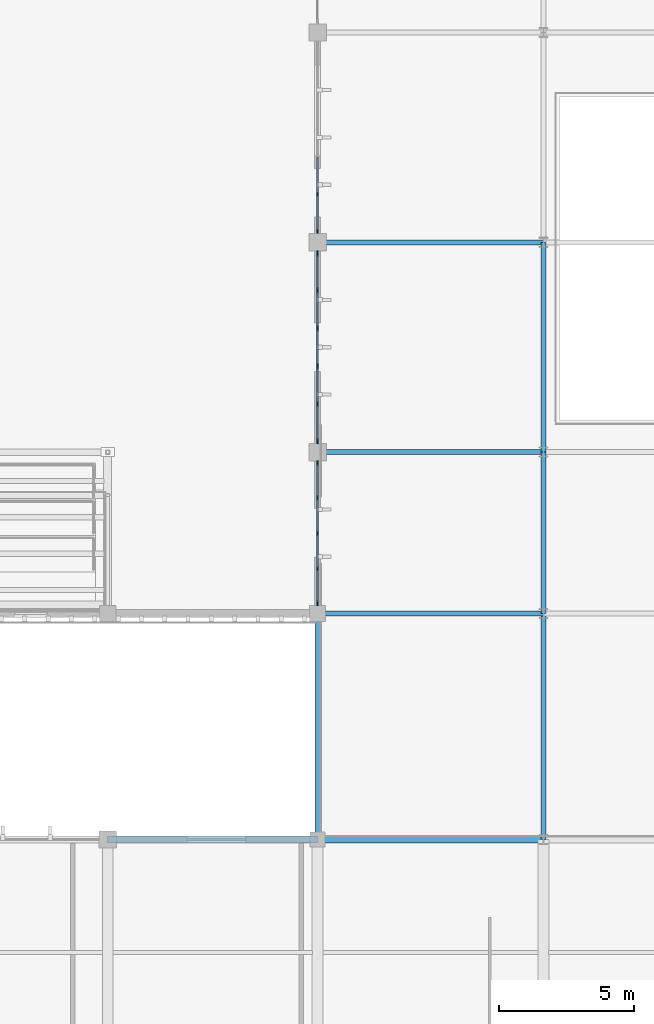
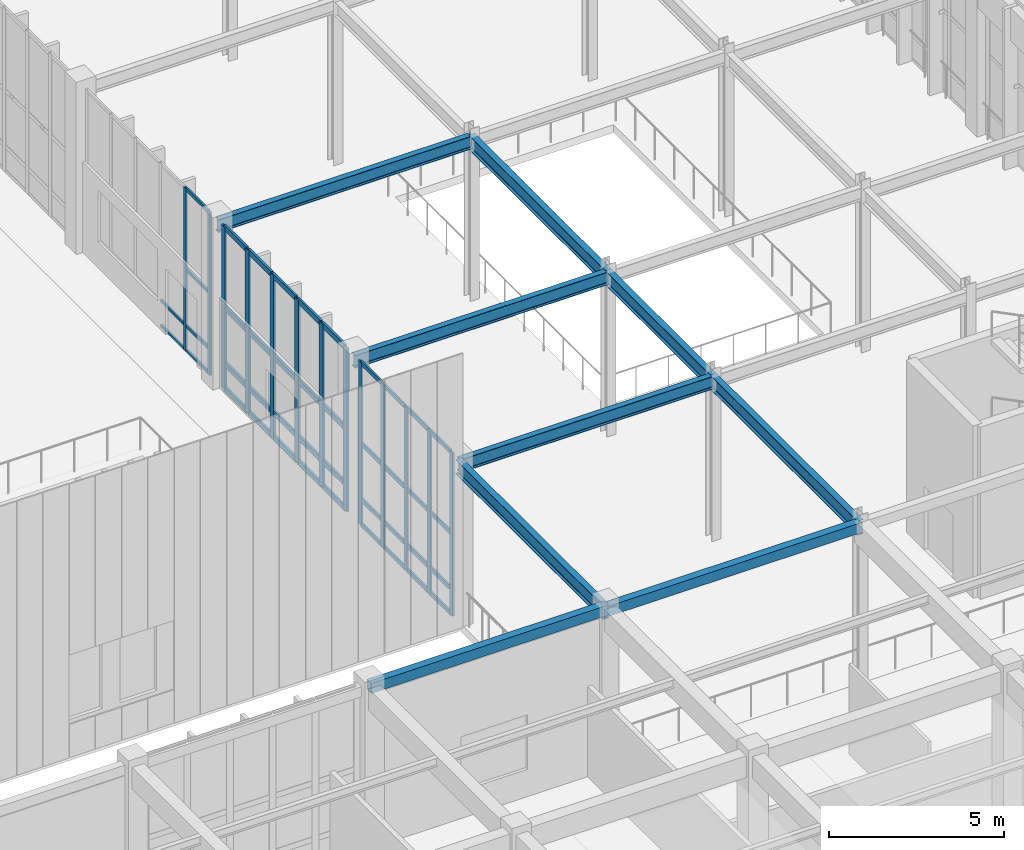
# One storey, part 17 of 105: 55 members, 9 beams, 3 elements without a shape of their own.
"""IFC4 building model written with IfcOpenShell, lengths in metres."""

from ifc_helpers import new_model, si_unit, direction, frame, origin, origin_2d, place, context, subcontext, project, spatial, rectangle, hollow_rectangle, i_section, extrude, material, material_profile, profile_set, type_object, element, aggregate, save


model = new_model("IFC4")

# Units and contexts
model_context = context("Model", 3, precision=1e-05, world=origin(), true_north=direction((0.0, 1.0)))
body_context = subcontext(model_context, "Body", "Model", "MODEL_VIEW")
ifc_project = project(units=[si_unit("LENGTHUNIT", "METRE"), si_unit("AREAUNIT", "SQUARE_METRE"), si_unit("VOLUMEUNIT", "CUBIC_METRE"), si_unit("PLANEANGLEUNIT", "RADIAN"), si_unit("MASSUNIT", "GRAM", prefix="KILO")], contexts=[model_context])

# Site, building, storey
site_placement = place(None, origin())
site = spatial("IfcSite", under=ifc_project, at=site_placement, CompositionType="ELEMENT")
building_placement = place(site_placement, origin())
building = spatial("IfcBuilding", under=site, at=building_placement, Name="Tizgana Railside Sports Hall", CompositionType="ELEMENT")
storey_placement = place(building_placement, frame((0.0, 0.0, 6.0)))
storey = spatial("IfcBuildingStorey", under=building, at=storey_placement, Name="L01", CompositionType="ELEMENT", Elevation=6.0)

# Curtain wall, members
ifc_material_1 = material(Name="Anodised aluminium and glass", Category="aluminium")
curtain_wall_type_1 = type_object("IfcCurtainWallType", Name="Unitised Curtain Wall Studio 1400", PredefinedType="NOTDEFINED", material=ifc_material_1)
curtain_wall_1_placement = place(storey_placement, origin())
curtain_wall_1 = element("IfcCurtainWall", 1, at=curtain_wall_1_placement, inside=storey, type_object=curtain_wall_type_1, Name="L01 Curtain Wall CW-0162", PredefinedType="NOTDEFINED")
ifc_material_2 = material(Name="Anodised aluminium", Category="aluminium")
ifc_material_profile_1 = material_profile(ifc_material_2, rectangle(XDim=0.06005859375, YDim=0.139892578125, at=origin_2d()), Name="Mullion 60x140")
ifc_profile_set_1 = profile_set([ifc_material_profile_1], Name="Anodised aluminium")
member_type_1 = type_object("IfcMemberType", Name="Mullion 60x140", PredefinedType="MULLION", material=ifc_profile_set_1)
member_1_placement = place(storey_placement, frame((54.60009765625, 56.387939453125, 0.0), z_axis=(0.0, 0.0, 1.0), x_axis=(1.0, 0.0, 0.0)))
member_1 = element("IfcMember", 2, at=member_1_placement, type_object=member_type_1, Name="CW-03 mullion 5", PredefinedType="MULLION", context=body_context, shape_type="SweptSolid", body=[
    extrude(rectangle(XDim=0.06005859375, YDim=0.139892578125, at=origin_2d()), origin(), (0.0, 0.0, 1.0), 5.68994140625),
])
member_2_placement = place(storey_placement, frame((54.60009765625, 55.010009765625, 0.0), z_axis=(0.0, 0.0, 1.0), x_axis=(1.0, 0.0, 0.0)))
member_2 = element("IfcMember", 3, at=member_2_placement, type_object=member_type_1, Name="CW-03 mullion 6", PredefinedType="MULLION", context=body_context, shape_type="SweptSolid", body=[
    extrude(rectangle(XDim=0.06005859375, YDim=0.139892578125, at=origin_2d()), origin(), (0.0, 0.0, 1.0), 5.68994140625),
])

curtain_wall_type_2 = type_object("IfcCurtainWallType", Name="Unitised Curtain Wall WestHall 1560", PredefinedType="NOTDEFINED", material=ifc_material_1)
curtain_wall_2_placement = place(storey_placement, origin())
curtain_wall_2 = element("IfcCurtainWall", 4, at=curtain_wall_2_placement, inside=storey, type_object=curtain_wall_type_2, Name="L01 Curtain Wall CW-0158", PredefinedType="NOTDEFINED")
ifc_material_profile_2 = material_profile(ifc_material_2, rectangle(XDim=0.06005859375, YDim=0.179931640625, at=origin_2d()), Name="Mullion 60x180")
ifc_profile_set_2 = profile_set([ifc_material_profile_2], Name="Anodised aluminium")
member_type_2 = type_object("IfcMemberType", Name="Mullion 60x180", PredefinedType="MULLION", material=ifc_profile_set_2)
member_3_placement = place(storey_placement, frame((54.60009765625, 46.389892578125, 0.0), z_axis=(0.0, 0.0, 1.0), x_axis=(1.0, 0.0, 0.0)))
member_3 = element("IfcMember", 5, at=member_3_placement, type_object=member_type_2, Name="CW-07 mullion 1", PredefinedType="MULLION", context=body_context, shape_type="SweptSolid", body=[
    extrude(rectangle(XDim=0.06005859375, YDim=0.179931640625, at=origin_2d()), origin(), (0.0, 0.0, 1.0), 5.68994140625),
])
member_4_placement = place(storey_placement, frame((54.60009765625, 45.103759765625, 0.0), z_axis=(0.0, 0.0, 1.0), x_axis=(1.0, 0.0, 0.0)))
member_4 = element("IfcMember", 6, at=member_4_placement, type_object=member_type_2, Name="CW-07 mullion 2", PredefinedType="MULLION", context=body_context, shape_type="SweptSolid", body=[
    extrude(rectangle(XDim=0.06005859375, YDim=0.179931640625, at=origin_2d()), origin(), (0.0, 0.0, 1.0), 5.68994140625),
])
member_5_placement = place(storey_placement, frame((54.60009765625, 43.78759765625, 0.0), z_axis=(0.0, 0.0, 1.0), x_axis=(1.0, 0.0, 0.0)))
member_5 = element("IfcMember", 7, at=member_5_placement, type_object=member_type_2, Name="CW-07 mullion 3", PredefinedType="MULLION", context=body_context, shape_type="SweptSolid", body=[
    extrude(rectangle(XDim=0.06005859375, YDim=0.179931640625, at=origin_2d()), origin(), (0.0, 0.0, 1.0), 5.68994140625),
])
member_6_placement = place(storey_placement, frame((54.60009765625, 42.47119140625, 0.0), z_axis=(0.0, 0.0, 1.0), x_axis=(1.0, 0.0, 0.0)))
member_6 = element("IfcMember", 8, at=member_6_placement, type_object=member_type_2, Name="CW-07 mullion 4", PredefinedType="MULLION", context=body_context, shape_type="SweptSolid", body=[
    extrude(rectangle(XDim=0.06005859375, YDim=0.179931640625, at=origin_2d()), origin(), (0.0, 0.0, 1.0), 5.68994140625),
])
member_7_placement = place(storey_placement, frame((54.60009765625, 41.18505859375, 0.0), z_axis=(0.0, 0.0, 1.0), x_axis=(1.0, 0.0, 0.0)))
member_7 = element("IfcMember", 9, at=member_7_placement, type_object=member_type_2, Name="CW-07 mullion 5", PredefinedType="MULLION", context=body_context, shape_type="SweptSolid", body=[
    extrude(rectangle(XDim=0.06005859375, YDim=0.179931640625, at=origin_2d()), origin(), (0.0, 0.0, 1.0), 5.68994140625),
])

curtain_wall_type_3 = type_object("IfcCurtainWallType", Name="Unitised Curtain Wall Concourse 1500", PredefinedType="NOTDEFINED", material=ifc_material_1)
curtain_wall_3_placement = place(storey_placement, origin())
curtain_wall_3 = element("IfcCurtainWall", 10, at=curtain_wall_3_placement, inside=storey, type_object=curtain_wall_type_3, Name="L01 Curtain Wall CW-0160", PredefinedType="NOTDEFINED")
ifc_material_profile_3 = material_profile(ifc_material_2, rectangle(XDim=0.070068359375, YDim=0.219970703125, at=origin_2d()), Name="Mullion 70x220")
ifc_profile_set_3 = profile_set([ifc_material_profile_3], Name="Anodised aluminium")
member_type_3 = type_object("IfcMemberType", Name="Mullion 70x220", PredefinedType="MULLION", material=ifc_profile_set_3)
member_8_placement = place(storey_placement, frame((54.60009765625, 54.18505859375, 0.0), z_axis=(0.0, 0.0, 1.0), x_axis=(1.0, 0.0, 0.0)))
member_8 = element("IfcMember", 11, at=member_8_placement, type_object=member_type_3, Name="CW-01 mullion 1", PredefinedType="MULLION", context=body_context, shape_type="SweptSolid", body=[
    extrude(rectangle(XDim=0.070068359375, YDim=0.219970703125, at=origin_2d()), origin(), (0.0, 0.0, 1.0), 5.68994140625),
])
member_9_placement = place(storey_placement, frame((54.60009765625, 52.81201171875, 0.0), z_axis=(0.0, 0.0, 1.0), x_axis=(1.0, 0.0, 0.0)))
member_9 = element("IfcMember", 12, at=member_9_placement, type_object=member_type_3, Name="CW-01 mullion 2", PredefinedType="MULLION", context=body_context, shape_type="SweptSolid", body=[
    extrude(rectangle(XDim=0.070068359375, YDim=0.219970703125, at=origin_2d()), origin(), (0.0, 0.0, 1.0), 5.68994140625),
])
member_10_placement = place(storey_placement, frame((54.60009765625, 51.404052734375, 0.0), z_axis=(0.0, 0.0, 1.0), x_axis=(1.0, 0.0, 0.0)))
member_10 = element("IfcMember", 13, at=member_10_placement, type_object=member_type_3, Name="CW-01 mullion 3", PredefinedType="MULLION", context=body_context, shape_type="SweptSolid", body=[
    extrude(rectangle(XDim=0.070068359375, YDim=0.219970703125, at=origin_2d()), origin(), (0.0, 0.0, 1.0), 5.68994140625),
])
member_11_placement = place(storey_placement, frame((54.60009765625, 49.99609375, 0.0), z_axis=(0.0, 0.0, 1.0), x_axis=(1.0, 0.0, 0.0)))
member_11 = element("IfcMember", 14, at=member_11_placement, type_object=member_type_3, Name="CW-01 mullion 4", PredefinedType="MULLION", context=body_context, shape_type="SweptSolid", body=[
    extrude(rectangle(XDim=0.070068359375, YDim=0.219970703125, at=origin_2d()), origin(), (0.0, 0.0, 1.0), 5.68994140625),
])
member_12_placement = place(storey_placement, frame((54.60009765625, 48.587890625, 0.0), z_axis=(0.0, 0.0, 1.0), x_axis=(1.0, 0.0, 0.0)))
member_12 = element("IfcMember", 15, at=member_12_placement, type_object=member_type_3, Name="CW-01 mullion 5", PredefinedType="MULLION", context=body_context, shape_type="SweptSolid", body=[
    extrude(rectangle(XDim=0.070068359375, YDim=0.219970703125, at=origin_2d()), origin(), (0.0, 0.0, 1.0), 5.68994140625),
])
member_13_placement = place(storey_placement, frame((54.60009765625, 47.215087890625, 0.0), z_axis=(0.0, 0.0, 1.0), x_axis=(1.0, 0.0, 0.0)))
member_13 = element("IfcMember", 16, at=member_13_placement, type_object=member_type_3, Name="CW-01 mullion 6", PredefinedType="MULLION", context=body_context, shape_type="SweptSolid", body=[
    extrude(rectangle(XDim=0.070068359375, YDim=0.219970703125, at=origin_2d()), origin(), (0.0, 0.0, 1.0), 5.68994140625),
])

# Beams
ifc_material_3 = material(Name="Steel S355J2", Category="steel")
ifc_material_profile_4 = material_profile(ifc_material_3, i_section(OverallWidth=0.18994140625, OverallDepth=0.449951171875, WebThickness=0.009521484375, FlangeThickness=0.0146484375, FilletRadius=0.02099609375, at=origin_2d()), Name="IPE 450")
ifc_profile_set_4 = profile_set([ifc_material_profile_4], Name="Steel S355J2")
beam_type_1 = type_object("IfcBeamType", Name="Steel Beam IPE 450", PredefinedType="BEAM", material=ifc_profile_set_4)
for number, where, z_axis, x_axis, name in (
    (17, (54.60009765625, 40.800048828125, 5.4609375), (1.0, 0.0, 0.0), (0.0, 1.0, 0.0), "L01 BEM-0967"),
    (18, (54.60009765625, 46.800048828125, 5.4609375), (1.0, 0.0, 0.0), (0.0, 1.0, 0.0), "L01 BEM-0968"),
    (19, (54.60009765625, 54.60009765625, 5.4609375), (1.0, 0.0, 0.0), (0.0, 1.0, 0.0), "L01 BEM-0969"),
):
    element("IfcBeam", number, at=place(storey_placement, frame(where, z_axis=z_axis, x_axis=x_axis)), inside=storey, type_object=beam_type_1, Name=name, PredefinedType="BEAM", context=body_context, shape_type="SweptSolid", body=[
        extrude(i_section(OverallWidth=0.18994140625, OverallDepth=0.449951171875, WebThickness=0.009521484375, FlangeThickness=0.0146484375, FilletRadius=0.02099609375, at=origin_2d()), origin(), (0.0, 0.0, 1.0), 8.39990234375),
    ])
ifc_material_profile_5 = material_profile(ifc_material_3, i_section(OverallWidth=0.199951171875, OverallDepth=0.5, WebThickness=0.01025390625, FlangeThickness=0.01611328125, FilletRadius=0.02099609375, at=origin_2d()), Name="IPE 500")
ifc_profile_set_5 = profile_set([ifc_material_profile_5], Name="Steel S355J2")
beam_type_2 = type_object("IfcBeamType", Name="Steel Beam IPE 500", PredefinedType="BEAM", material=ifc_profile_set_5)
for number, where, z_axis, x_axis, name in (
    (20, (54.60009765625, 32.39990234375, 5.43603515625), (0.0, 1.0, 0.0), (-1.0, 0.0, 0.0), "L01 BEM-0952"),
    (21, (63.0, 32.39990234375, 5.43603515625), (0.0, 1.0, 0.0), (-1.0, 0.0, 0.0), "L01 BEM-0953"),
):
    element("IfcBeam", number, at=place(storey_placement, frame(where, z_axis=z_axis, x_axis=x_axis)), inside=storey, type_object=beam_type_2, Name=name, PredefinedType="BEAM", context=body_context, shape_type="SweptSolid", body=[
        extrude(i_section(OverallWidth=0.199951171875, OverallDepth=0.5, WebThickness=0.01025390625, FlangeThickness=0.01611328125, FilletRadius=0.02099609375, at=origin_2d()), origin(), (0.0, 0.0, 1.0), 8.400146484375),
    ])
beam_1_placement = place(storey_placement, frame((63.0, 40.800048828125, 5.43603515625), z_axis=(0.0, 1.0, 0.0), x_axis=(-1.0, 0.0, 0.0)))
element("IfcBeam", 22, at=beam_1_placement, inside=storey, type_object=beam_type_2, Name="L01 BEM-0954", PredefinedType="BEAM", context=body_context, shape_type="SweptSolid", body=[
    extrude(i_section(OverallWidth=0.199951171875, OverallDepth=0.5, WebThickness=0.01025390625, FlangeThickness=0.01611328125, FilletRadius=0.02099609375, at=origin_2d()), origin(), (0.0, 0.0, 1.0), 6.0),
])
beam_2_placement = place(storey_placement, frame((63.0, 46.800048828125, 5.43603515625), z_axis=(0.0, 1.0, 0.0), x_axis=(-1.0, 0.0, 0.0)))
element("IfcBeam", 23, at=beam_2_placement, inside=storey, type_object=beam_type_2, Name="L01 BEM-0955", PredefinedType="BEAM", context=body_context, shape_type="SweptSolid", body=[
    extrude(i_section(OverallWidth=0.199951171875, OverallDepth=0.5, WebThickness=0.01025390625, FlangeThickness=0.01611328125, FilletRadius=0.02099609375, at=origin_2d()), origin(), (0.0, 0.0, 1.0), 7.800048828125),
])
ifc_material_profile_6 = material_profile(ifc_material_3, hollow_rectangle(XDim=0.25, YDim=0.35009765625, WallThickness=0.011962890625, at=origin_2d()), Name="RHS 350x250x12")
ifc_profile_set_6 = profile_set([ifc_material_profile_6], Name="Steel S355J2")
beam_type_3 = type_object("IfcBeamType", Name="Steel Spandrel RHS 350x250x12", PredefinedType="SPANDREL", material=ifc_profile_set_6)
beam_3_placement = place(storey_placement, frame((46.800048828125, 32.39990234375, 5.56103515625), z_axis=(1.0, 0.0, 0.0), x_axis=(0.0, 1.0, 0.0)))
element("IfcBeam", 24, at=beam_3_placement, inside=storey, type_object=beam_type_3, Name="L01 BEM-0552", PredefinedType="SPANDREL", context=body_context, shape_type="SweptSolid", body=[
    extrude(hollow_rectangle(XDim=0.25, YDim=0.35009765625, WallThickness=0.011962890625, at=origin_2d()), origin(), (0.0, 0.0, 1.0), 7.800048828125),
])
beam_4_placement = place(storey_placement, frame((54.60009765625, 32.39990234375, 5.510986328125), z_axis=(1.0, 0.0, 0.0), x_axis=(0.0, 1.0, 0.0)))
element("IfcBeam", 25, at=beam_4_placement, inside=storey, type_object=beam_type_3, Name="L01 BEM-0559", PredefinedType="SPANDREL", context=body_context, shape_type="SweptSolid", body=[
    extrude(hollow_rectangle(XDim=0.25, YDim=0.35009765625, WallThickness=0.011962890625, at=origin_2d()), origin(), (0.0, 0.0, 1.0), 8.39990234375),
])

# Member
ifc_material_profile_7 = material_profile(ifc_material_2, rectangle(XDim=0.06005859375, YDim=0.110107421875, at=origin_2d()), Name="Transom 60x110")
ifc_profile_set_7 = profile_set([ifc_material_profile_7], Name="Anodised aluminium")
member_type_4 = type_object("IfcMemberType", Name="Transom 60x110", PredefinedType="USERDEFINED", material=ifc_profile_set_7)
member_14_placement = place(storey_placement, frame((54.60009765625, 57.76611328125, 0.030029296875), z_axis=(0.0, -1.0, 0.0), x_axis=(1.0, 0.0, 0.0)))
member_14 = element("IfcMember", 26, at=member_14_placement, type_object=member_type_4, Name="CW-03 transom 4.1", ObjectType="TRANSOM", PredefinedType="USERDEFINED", context=body_context, shape_type="SweptSolid", body=[
    extrude(rectangle(XDim=0.06005859375, YDim=0.110107421875, at=origin_2d()), origin(), (0.0, 0.0, 1.0), 1.34814453125),
])

member_15_placement = place(storey_placement, frame((54.60009765625, 57.76611328125, 0.89990234375), z_axis=(0.0, -1.0, 0.0), x_axis=(1.0, 0.0, 0.0)))
member_15 = element("IfcMember", 27, at=member_15_placement, type_object=member_type_4, Name="CW-03 transom 4.2", ObjectType="TRANSOM", PredefinedType="USERDEFINED", context=body_context, shape_type="SweptSolid", body=[
    extrude(rectangle(XDim=0.06005859375, YDim=0.110107421875, at=origin_2d()), origin(), (0.0, 0.0, 1.0), 1.34814453125),
])

member_16_placement = place(storey_placement, frame((54.60009765625, 56.35791015625, 0.030029296875), z_axis=(0.0, -1.0, 0.0), x_axis=(1.0, 0.0, 0.0)))
member_16 = element("IfcMember", 28, at=member_16_placement, type_object=member_type_4, Name="CW-03 transom 5.1", ObjectType="TRANSOM", PredefinedType="USERDEFINED", context=body_context, shape_type="SweptSolid", body=[
    extrude(rectangle(XDim=0.06005859375, YDim=0.110107421875, at=origin_2d()), origin(), (0.0, 0.0, 1.0), 1.31787109375),
])

member_17_placement = place(storey_placement, frame((54.60009765625, 56.35791015625, 0.89990234375), z_axis=(0.0, -1.0, 0.0), x_axis=(1.0, 0.0, 0.0)))
member_17 = element("IfcMember", 29, at=member_17_placement, type_object=member_type_4, Name="CW-03 transom 5.2", ObjectType="TRANSOM", PredefinedType="USERDEFINED", context=body_context, shape_type="SweptSolid", body=[
    extrude(rectangle(XDim=0.06005859375, YDim=0.110107421875, at=origin_2d()), origin(), (0.0, 0.0, 1.0), 1.31787109375),
])

member_18_placement = place(storey_placement, frame((54.60009765625, 56.35791015625, 2.844970703125), z_axis=(0.0, -1.0, 0.0), x_axis=(1.0, 0.0, 0.0)))
member_18 = element("IfcMember", 30, at=member_18_placement, type_object=member_type_4, Name="CW-03 transom 5.3", ObjectType="TRANSOM", PredefinedType="USERDEFINED", context=body_context, shape_type="SweptSolid", body=[
    extrude(rectangle(XDim=0.06005859375, YDim=0.110107421875, at=origin_2d()), origin(), (0.0, 0.0, 1.0), 1.31787109375),
])

member_19_placement = place(storey_placement, frame((54.60009765625, 56.35791015625, 5.659912109375), z_axis=(0.0, -1.0, 0.0), x_axis=(1.0, 0.0, 0.0)))
member_19 = element("IfcMember", 31, at=member_19_placement, type_object=member_type_4, Name="CW-03 transom 5.4", ObjectType="TRANSOM", PredefinedType="USERDEFINED", context=body_context, shape_type="SweptSolid", body=[
    extrude(rectangle(XDim=0.06005859375, YDim=0.110107421875, at=origin_2d()), origin(), (0.0, 0.0, 1.0), 1.31787109375),
])

aggregate(curtain_wall_1, [member_1, member_2, member_14, member_15, member_16, member_17, member_18, member_19])

ifc_material_profile_8 = material_profile(ifc_material_2, rectangle(XDim=0.06005859375, YDim=0.14990234375, at=origin_2d()), Name="Transom 60x150")
ifc_profile_set_8 = profile_set([ifc_material_profile_8], Name="Anodised aluminium")
member_type_5 = type_object("IfcMemberType", Name="Transom 60x150", PredefinedType="USERDEFINED", material=ifc_profile_set_8)
member_20_placement = place(storey_placement, frame((54.60009765625, 46.360107421875, 0.030029296875), z_axis=(0.0, -1.0, 0.0), x_axis=(1.0, 0.0, 0.0)))
member_20 = element("IfcMember", 32, at=member_20_placement, type_object=member_type_5, Name="CW-07 transom 1.1", ObjectType="TRANSOM", PredefinedType="USERDEFINED", context=body_context, shape_type="SweptSolid", body=[
    extrude(rectangle(XDim=0.06005859375, YDim=0.14990234375, at=origin_2d()), origin(), (0.0, 0.0, 1.0), 1.226318359375),
])

member_21_placement = place(storey_placement, frame((54.60009765625, 46.360107421875, 0.89990234375), z_axis=(0.0, -1.0, 0.0), x_axis=(1.0, 0.0, 0.0)))
member_21 = element("IfcMember", 33, at=member_21_placement, type_object=member_type_5, Name="CW-07 transom 1.2", ObjectType="TRANSOM", PredefinedType="USERDEFINED", context=body_context, shape_type="SweptSolid", body=[
    extrude(rectangle(XDim=0.06005859375, YDim=0.14990234375, at=origin_2d()), origin(), (0.0, 0.0, 1.0), 1.226318359375),
])

member_22_placement = place(storey_placement, frame((54.60009765625, 46.360107421875, 2.844970703125), z_axis=(0.0, -1.0, 0.0), x_axis=(1.0, 0.0, 0.0)))
member_22 = element("IfcMember", 34, at=member_22_placement, type_object=member_type_5, Name="CW-07 transom 1.3", ObjectType="TRANSOM", PredefinedType="USERDEFINED", context=body_context, shape_type="SweptSolid", body=[
    extrude(rectangle(XDim=0.06005859375, YDim=0.14990234375, at=origin_2d()), origin(), (0.0, 0.0, 1.0), 1.226318359375),
])

member_23_placement = place(storey_placement, frame((54.60009765625, 46.360107421875, 5.659912109375), z_axis=(0.0, -1.0, 0.0), x_axis=(1.0, 0.0, 0.0)))
member_23 = element("IfcMember", 35, at=member_23_placement, type_object=member_type_5, Name="CW-07 transom 1.4", ObjectType="TRANSOM", PredefinedType="USERDEFINED", context=body_context, shape_type="SweptSolid", body=[
    extrude(rectangle(XDim=0.06005859375, YDim=0.14990234375, at=origin_2d()), origin(), (0.0, 0.0, 1.0), 1.226318359375),
])

member_24_placement = place(storey_placement, frame((54.60009765625, 45.07373046875, 0.030029296875), z_axis=(0.0, -1.0, 0.0), x_axis=(1.0, 0.0, 0.0)))
member_24 = element("IfcMember", 36, at=member_24_placement, type_object=member_type_5, Name="CW-07 transom 2.1", ObjectType="TRANSOM", PredefinedType="USERDEFINED", context=body_context, shape_type="SweptSolid", body=[
    extrude(rectangle(XDim=0.06005859375, YDim=0.14990234375, at=origin_2d()), origin(), (0.0, 0.0, 1.0), 1.25634765625),
])

member_25_placement = place(storey_placement, frame((54.60009765625, 45.07373046875, 0.89990234375), z_axis=(0.0, -1.0, 0.0), x_axis=(1.0, 0.0, 0.0)))
member_25 = element("IfcMember", 37, at=member_25_placement, type_object=member_type_5, Name="CW-07 transom 2.2", ObjectType="TRANSOM", PredefinedType="USERDEFINED", context=body_context, shape_type="SweptSolid", body=[
    extrude(rectangle(XDim=0.06005859375, YDim=0.14990234375, at=origin_2d()), origin(), (0.0, 0.0, 1.0), 1.25634765625),
])

member_26_placement = place(storey_placement, frame((54.60009765625, 45.07373046875, 2.844970703125), z_axis=(0.0, -1.0, 0.0), x_axis=(1.0, 0.0, 0.0)))
member_26 = element("IfcMember", 38, at=member_26_placement, type_object=member_type_5, Name="CW-07 transom 2.3", ObjectType="TRANSOM", PredefinedType="USERDEFINED", context=body_context, shape_type="SweptSolid", body=[
    extrude(rectangle(XDim=0.06005859375, YDim=0.14990234375, at=origin_2d()), origin(), (0.0, 0.0, 1.0), 1.25634765625),
])

member_27_placement = place(storey_placement, frame((54.60009765625, 45.07373046875, 5.659912109375), z_axis=(0.0, -1.0, 0.0), x_axis=(1.0, 0.0, 0.0)))
member_27 = element("IfcMember", 39, at=member_27_placement, type_object=member_type_5, Name="CW-07 transom 2.4", ObjectType="TRANSOM", PredefinedType="USERDEFINED", context=body_context, shape_type="SweptSolid", body=[
    extrude(rectangle(XDim=0.06005859375, YDim=0.14990234375, at=origin_2d()), origin(), (0.0, 0.0, 1.0), 1.25634765625),
])

member_28_placement = place(storey_placement, frame((54.60009765625, 43.757568359375, 0.030029296875), z_axis=(0.0, -1.0, 0.0), x_axis=(1.0, 0.0, 0.0)))
member_28 = element("IfcMember", 40, at=member_28_placement, type_object=member_type_5, Name="CW-07 transom 3.1", ObjectType="TRANSOM", PredefinedType="USERDEFINED", context=body_context, shape_type="SweptSolid", body=[
    extrude(rectangle(XDim=0.06005859375, YDim=0.14990234375, at=origin_2d()), origin(), (0.0, 0.0, 1.0), 1.25634765625),
])

member_29_placement = place(storey_placement, frame((54.60009765625, 43.757568359375, 0.89990234375), z_axis=(0.0, -1.0, 0.0), x_axis=(1.0, 0.0, 0.0)))
member_29 = element("IfcMember", 41, at=member_29_placement, type_object=member_type_5, Name="CW-07 transom 3.2", ObjectType="TRANSOM", PredefinedType="USERDEFINED", context=body_context, shape_type="SweptSolid", body=[
    extrude(rectangle(XDim=0.06005859375, YDim=0.14990234375, at=origin_2d()), origin(), (0.0, 0.0, 1.0), 1.25634765625),
])

member_30_placement = place(storey_placement, frame((54.60009765625, 43.757568359375, 2.844970703125), z_axis=(0.0, -1.0, 0.0), x_axis=(1.0, 0.0, 0.0)))
member_30 = element("IfcMember", 42, at=member_30_placement, type_object=member_type_5, Name="CW-07 transom 3.3", ObjectType="TRANSOM", PredefinedType="USERDEFINED", context=body_context, shape_type="SweptSolid", body=[
    extrude(rectangle(XDim=0.06005859375, YDim=0.14990234375, at=origin_2d()), origin(), (0.0, 0.0, 1.0), 1.25634765625),
])

member_31_placement = place(storey_placement, frame((54.60009765625, 43.757568359375, 5.659912109375), z_axis=(0.0, -1.0, 0.0), x_axis=(1.0, 0.0, 0.0)))
member_31 = element("IfcMember", 43, at=member_31_placement, type_object=member_type_5, Name="CW-07 transom 3.4", ObjectType="TRANSOM", PredefinedType="USERDEFINED", context=body_context, shape_type="SweptSolid", body=[
    extrude(rectangle(XDim=0.06005859375, YDim=0.14990234375, at=origin_2d()), origin(), (0.0, 0.0, 1.0), 1.25634765625),
])

member_32_placement = place(storey_placement, frame((54.60009765625, 42.441162109375, 0.030029296875), z_axis=(0.0, -1.0, 0.0), x_axis=(1.0, 0.0, 0.0)))
member_32 = element("IfcMember", 44, at=member_32_placement, type_object=member_type_5, Name="CW-07 transom 4.1", ObjectType="TRANSOM", PredefinedType="USERDEFINED", context=body_context, shape_type="SweptSolid", body=[
    extrude(rectangle(XDim=0.06005859375, YDim=0.14990234375, at=origin_2d()), origin(), (0.0, 0.0, 1.0), 1.22607421875),
])

member_33_placement = place(storey_placement, frame((54.60009765625, 42.441162109375, 0.89990234375), z_axis=(0.0, -1.0, 0.0), x_axis=(1.0, 0.0, 0.0)))
member_33 = element("IfcMember", 45, at=member_33_placement, type_object=member_type_5, Name="CW-07 transom 4.2", ObjectType="TRANSOM", PredefinedType="USERDEFINED", context=body_context, shape_type="SweptSolid", body=[
    extrude(rectangle(XDim=0.06005859375, YDim=0.14990234375, at=origin_2d()), origin(), (0.0, 0.0, 1.0), 1.22607421875),
])

member_34_placement = place(storey_placement, frame((54.60009765625, 42.441162109375, 2.844970703125), z_axis=(0.0, -1.0, 0.0), x_axis=(1.0, 0.0, 0.0)))
member_34 = element("IfcMember", 46, at=member_34_placement, type_object=member_type_5, Name="CW-07 transom 4.3", ObjectType="TRANSOM", PredefinedType="USERDEFINED", context=body_context, shape_type="SweptSolid", body=[
    extrude(rectangle(XDim=0.06005859375, YDim=0.14990234375, at=origin_2d()), origin(), (0.0, 0.0, 1.0), 1.22607421875),
])

member_35_placement = place(storey_placement, frame((54.60009765625, 42.441162109375, 5.659912109375), z_axis=(0.0, -1.0, 0.0), x_axis=(1.0, 0.0, 0.0)))
member_35 = element("IfcMember", 47, at=member_35_placement, type_object=member_type_5, Name="CW-07 transom 4.4", ObjectType="TRANSOM", PredefinedType="USERDEFINED", context=body_context, shape_type="SweptSolid", body=[
    extrude(rectangle(XDim=0.06005859375, YDim=0.14990234375, at=origin_2d()), origin(), (0.0, 0.0, 1.0), 1.22607421875),
])

aggregate(curtain_wall_2, [member_3, member_4, member_5, member_6, member_7, member_20, member_21, member_22, member_23, member_24, member_25, member_26, member_27, member_28, member_29, member_30, member_31, member_32, member_33, member_34, member_35])

ifc_material_profile_9 = material_profile(ifc_material_2, rectangle(XDim=0.070068359375, YDim=0.18994140625, at=origin_2d()), Name="Transom 70x190")
ifc_profile_set_9 = profile_set([ifc_material_profile_9], Name="Anodised aluminium")
member_type_6 = type_object("IfcMemberType", Name="Transom 70x190", PredefinedType="USERDEFINED", material=ifc_profile_set_9)
member_36_placement = place(storey_placement, frame((54.60009765625, 54.14990234375, 0.034912109375), z_axis=(0.0, -1.0, 0.0), x_axis=(1.0, 0.0, 0.0)))
member_36 = element("IfcMember", 48, at=member_36_placement, type_object=member_type_6, Name="CW-01 transom 1.1", ObjectType="TRANSOM", PredefinedType="USERDEFINED", context=body_context, shape_type="SweptSolid", body=[
    extrude(rectangle(XDim=0.070068359375, YDim=0.18994140625, at=origin_2d()), origin(), (0.0, 0.0, 1.0), 1.302978515625),
])

member_37_placement = place(storey_placement, frame((54.60009765625, 54.14990234375, 0.89990234375), z_axis=(0.0, -1.0, 0.0), x_axis=(1.0, 0.0, 0.0)))
member_37 = element("IfcMember", 49, at=member_37_placement, type_object=member_type_6, Name="CW-01 transom 1.2", ObjectType="TRANSOM", PredefinedType="USERDEFINED", context=body_context, shape_type="SweptSolid", body=[
    extrude(rectangle(XDim=0.070068359375, YDim=0.18994140625, at=origin_2d()), origin(), (0.0, 0.0, 1.0), 1.302978515625),
])

member_38_placement = place(storey_placement, frame((54.60009765625, 54.14990234375, 2.844970703125), z_axis=(0.0, -1.0, 0.0), x_axis=(1.0, 0.0, 0.0)))
member_38 = element("IfcMember", 50, at=member_38_placement, type_object=member_type_6, Name="CW-01 transom 1.3", ObjectType="TRANSOM", PredefinedType="USERDEFINED", context=body_context, shape_type="SweptSolid", body=[
    extrude(rectangle(XDim=0.070068359375, YDim=0.18994140625, at=origin_2d()), origin(), (0.0, 0.0, 1.0), 1.302978515625),
])

member_39_placement = place(storey_placement, frame((54.60009765625, 54.14990234375, 5.655029296875), z_axis=(0.0, -1.0, 0.0), x_axis=(1.0, 0.0, 0.0)))
member_39 = element("IfcMember", 51, at=member_39_placement, type_object=member_type_6, Name="CW-01 transom 1.4", ObjectType="TRANSOM", PredefinedType="USERDEFINED", context=body_context, shape_type="SweptSolid", body=[
    extrude(rectangle(XDim=0.070068359375, YDim=0.18994140625, at=origin_2d()), origin(), (0.0, 0.0, 1.0), 1.302978515625),
])

member_40_placement = place(storey_placement, frame((54.60009765625, 52.777099609375, 0.034912109375), z_axis=(0.0, -1.0, 0.0), x_axis=(1.0, 0.0, 0.0)))
member_40 = element("IfcMember", 52, at=member_40_placement, type_object=member_type_6, Name="CW-01 transom 2.1", ObjectType="TRANSOM", PredefinedType="USERDEFINED", context=body_context, shape_type="SweptSolid", body=[
    extrude(rectangle(XDim=0.070068359375, YDim=0.18994140625, at=origin_2d()), origin(), (0.0, 0.0, 1.0), 1.338134765625),
])

member_41_placement = place(storey_placement, frame((54.60009765625, 52.777099609375, 0.89990234375), z_axis=(0.0, -1.0, 0.0), x_axis=(1.0, 0.0, 0.0)))
member_41 = element("IfcMember", 53, at=member_41_placement, type_object=member_type_6, Name="CW-01 transom 2.2", ObjectType="TRANSOM", PredefinedType="USERDEFINED", context=body_context, shape_type="SweptSolid", body=[
    extrude(rectangle(XDim=0.070068359375, YDim=0.18994140625, at=origin_2d()), origin(), (0.0, 0.0, 1.0), 1.338134765625),
])

member_42_placement = place(storey_placement, frame((54.60009765625, 52.777099609375, 2.844970703125), z_axis=(0.0, -1.0, 0.0), x_axis=(1.0, 0.0, 0.0)))
member_42 = element("IfcMember", 54, at=member_42_placement, type_object=member_type_6, Name="CW-01 transom 2.3", ObjectType="TRANSOM", PredefinedType="USERDEFINED", context=body_context, shape_type="SweptSolid", body=[
    extrude(rectangle(XDim=0.070068359375, YDim=0.18994140625, at=origin_2d()), origin(), (0.0, 0.0, 1.0), 1.338134765625),
])

member_43_placement = place(storey_placement, frame((54.60009765625, 52.777099609375, 5.655029296875), z_axis=(0.0, -1.0, 0.0), x_axis=(1.0, 0.0, 0.0)))
member_43 = element("IfcMember", 55, at=member_43_placement, type_object=member_type_6, Name="CW-01 transom 2.4", ObjectType="TRANSOM", PredefinedType="USERDEFINED", context=body_context, shape_type="SweptSolid", body=[
    extrude(rectangle(XDim=0.070068359375, YDim=0.18994140625, at=origin_2d()), origin(), (0.0, 0.0, 1.0), 1.338134765625),
])

member_44_placement = place(storey_placement, frame((54.60009765625, 51.368896484375, 0.034912109375), z_axis=(0.0, -1.0, 0.0), x_axis=(1.0, 0.0, 0.0)))
member_44 = element("IfcMember", 56, at=member_44_placement, type_object=member_type_6, Name="CW-01 transom 3.1", ObjectType="TRANSOM", PredefinedType="USERDEFINED", context=body_context, shape_type="SweptSolid", body=[
    extrude(rectangle(XDim=0.070068359375, YDim=0.18994140625, at=origin_2d()), origin(), (0.0, 0.0, 1.0), 1.337890625),
])

member_45_placement = place(storey_placement, frame((54.60009765625, 51.368896484375, 0.89990234375), z_axis=(0.0, -1.0, 0.0), x_axis=(1.0, 0.0, 0.0)))
member_45 = element("IfcMember", 57, at=member_45_placement, type_object=member_type_6, Name="CW-01 transom 3.2", ObjectType="TRANSOM", PredefinedType="USERDEFINED", context=body_context, shape_type="SweptSolid", body=[
    extrude(rectangle(XDim=0.070068359375, YDim=0.18994140625, at=origin_2d()), origin(), (0.0, 0.0, 1.0), 1.337890625),
])

member_46_placement = place(storey_placement, frame((54.60009765625, 51.368896484375, 2.844970703125), z_axis=(0.0, -1.0, 0.0), x_axis=(1.0, 0.0, 0.0)))
member_46 = element("IfcMember", 58, at=member_46_placement, type_object=member_type_6, Name="CW-01 transom 3.3", ObjectType="TRANSOM", PredefinedType="USERDEFINED", context=body_context, shape_type="SweptSolid", body=[
    extrude(rectangle(XDim=0.070068359375, YDim=0.18994140625, at=origin_2d()), origin(), (0.0, 0.0, 1.0), 1.337890625),
])

member_47_placement = place(storey_placement, frame((54.60009765625, 51.368896484375, 5.655029296875), z_axis=(0.0, -1.0, 0.0), x_axis=(1.0, 0.0, 0.0)))
member_47 = element("IfcMember", 59, at=member_47_placement, type_object=member_type_6, Name="CW-01 transom 3.4", ObjectType="TRANSOM", PredefinedType="USERDEFINED", context=body_context, shape_type="SweptSolid", body=[
    extrude(rectangle(XDim=0.070068359375, YDim=0.18994140625, at=origin_2d()), origin(), (0.0, 0.0, 1.0), 1.337890625),
])

member_48_placement = place(storey_placement, frame((54.60009765625, 49.9609375, 0.034912109375), z_axis=(0.0, -1.0, 0.0), x_axis=(1.0, 0.0, 0.0)))
member_48 = element("IfcMember", 60, at=member_48_placement, type_object=member_type_6, Name="CW-01 transom 4.1", ObjectType="TRANSOM", PredefinedType="USERDEFINED", context=body_context, shape_type="SweptSolid", body=[
    extrude(rectangle(XDim=0.070068359375, YDim=0.18994140625, at=origin_2d()), origin(), (0.0, 0.0, 1.0), 1.337890625),
])

member_49_placement = place(storey_placement, frame((54.60009765625, 49.9609375, 0.89990234375), z_axis=(0.0, -1.0, 0.0), x_axis=(1.0, 0.0, 0.0)))
member_49 = element("IfcMember", 61, at=member_49_placement, type_object=member_type_6, Name="CW-01 transom 4.2", ObjectType="TRANSOM", PredefinedType="USERDEFINED", context=body_context, shape_type="SweptSolid", body=[
    extrude(rectangle(XDim=0.070068359375, YDim=0.18994140625, at=origin_2d()), origin(), (0.0, 0.0, 1.0), 1.337890625),
])

member_50_placement = place(storey_placement, frame((54.60009765625, 49.9609375, 2.844970703125), z_axis=(0.0, -1.0, 0.0), x_axis=(1.0, 0.0, 0.0)))
member_50 = element("IfcMember", 62, at=member_50_placement, type_object=member_type_6, Name="CW-01 transom 4.3", ObjectType="TRANSOM", PredefinedType="USERDEFINED", context=body_context, shape_type="SweptSolid", body=[
    extrude(rectangle(XDim=0.070068359375, YDim=0.18994140625, at=origin_2d()), origin(), (0.0, 0.0, 1.0), 1.337890625),
])

member_51_placement = place(storey_placement, frame((54.60009765625, 49.9609375, 5.655029296875), z_axis=(0.0, -1.0, 0.0), x_axis=(1.0, 0.0, 0.0)))
member_51 = element("IfcMember", 63, at=member_51_placement, type_object=member_type_6, Name="CW-01 transom 4.4", ObjectType="TRANSOM", PredefinedType="USERDEFINED", context=body_context, shape_type="SweptSolid", body=[
    extrude(rectangle(XDim=0.070068359375, YDim=0.18994140625, at=origin_2d()), origin(), (0.0, 0.0, 1.0), 1.337890625),
])

member_52_placement = place(storey_placement, frame((54.60009765625, 48.552978515625, 0.034912109375), z_axis=(0.0, -1.0, 0.0), x_axis=(1.0, 0.0, 0.0)))
member_52 = element("IfcMember", 64, at=member_52_placement, type_object=member_type_6, Name="CW-01 transom 5.1", ObjectType="TRANSOM", PredefinedType="USERDEFINED", context=body_context, shape_type="SweptSolid", body=[
    extrude(rectangle(XDim=0.070068359375, YDim=0.18994140625, at=origin_2d()), origin(), (0.0, 0.0, 1.0), 1.302978515625),
])

member_53_placement = place(storey_placement, frame((54.60009765625, 48.552978515625, 0.89990234375), z_axis=(0.0, -1.0, 0.0), x_axis=(1.0, 0.0, 0.0)))
member_53 = element("IfcMember", 65, at=member_53_placement, type_object=member_type_6, Name="CW-01 transom 5.2", ObjectType="TRANSOM", PredefinedType="USERDEFINED", context=body_context, shape_type="SweptSolid", body=[
    extrude(rectangle(XDim=0.070068359375, YDim=0.18994140625, at=origin_2d()), origin(), (0.0, 0.0, 1.0), 1.302978515625),
])

member_54_placement = place(storey_placement, frame((54.60009765625, 48.552978515625, 2.844970703125), z_axis=(0.0, -1.0, 0.0), x_axis=(1.0, 0.0, 0.0)))
member_54 = element("IfcMember", 66, at=member_54_placement, type_object=member_type_6, Name="CW-01 transom 5.3", ObjectType="TRANSOM", PredefinedType="USERDEFINED", context=body_context, shape_type="SweptSolid", body=[
    extrude(rectangle(XDim=0.070068359375, YDim=0.18994140625, at=origin_2d()), origin(), (0.0, 0.0, 1.0), 1.302978515625),
])

member_55_placement = place(storey_placement, frame((54.60009765625, 48.552978515625, 5.655029296875), z_axis=(0.0, -1.0, 0.0), x_axis=(1.0, 0.0, 0.0)))
member_55 = element("IfcMember", 67, at=member_55_placement, type_object=member_type_6, Name="CW-01 transom 5.4", ObjectType="TRANSOM", PredefinedType="USERDEFINED", context=body_context, shape_type="SweptSolid", body=[
    extrude(rectangle(XDim=0.070068359375, YDim=0.18994140625, at=origin_2d()), origin(), (0.0, 0.0, 1.0), 1.302978515625),
])

aggregate(curtain_wall_3, [member_8, member_9, member_10, member_11, member_12, member_13, member_36, member_37, member_38, member_39, member_40, member_41, member_42, member_43, member_44, member_45, member_46, member_47, member_48, member_49, member_50, member_51, member_52, member_53, member_54, member_55])

save(model, "model.ifc")
